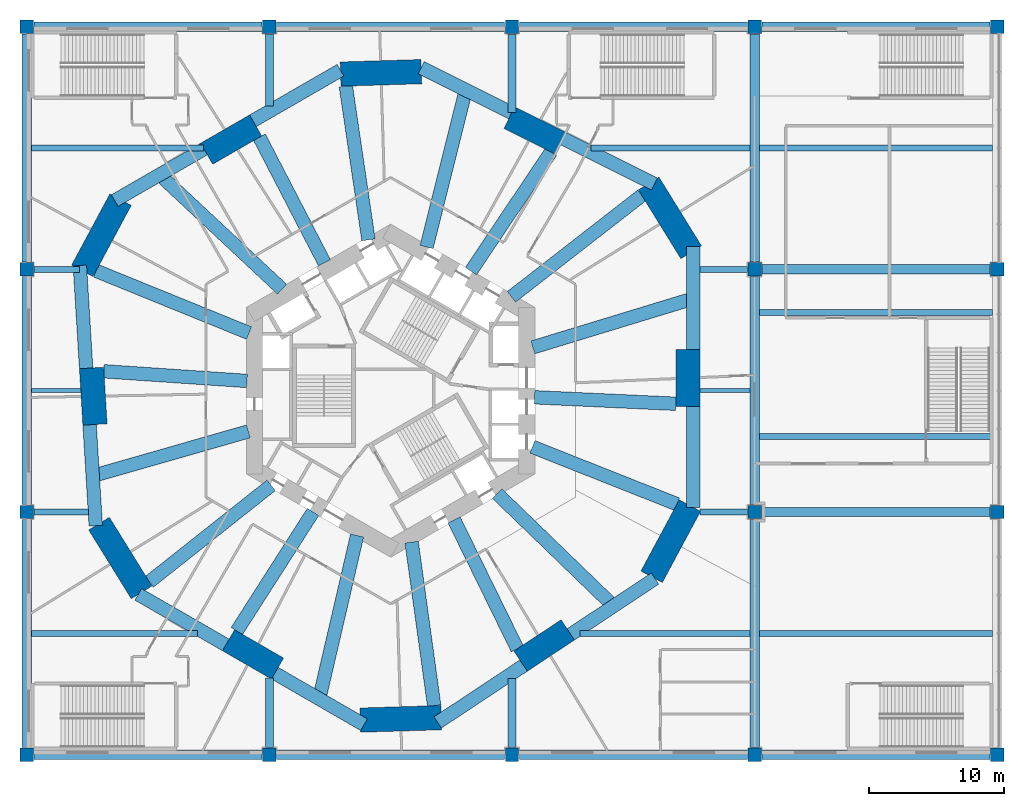
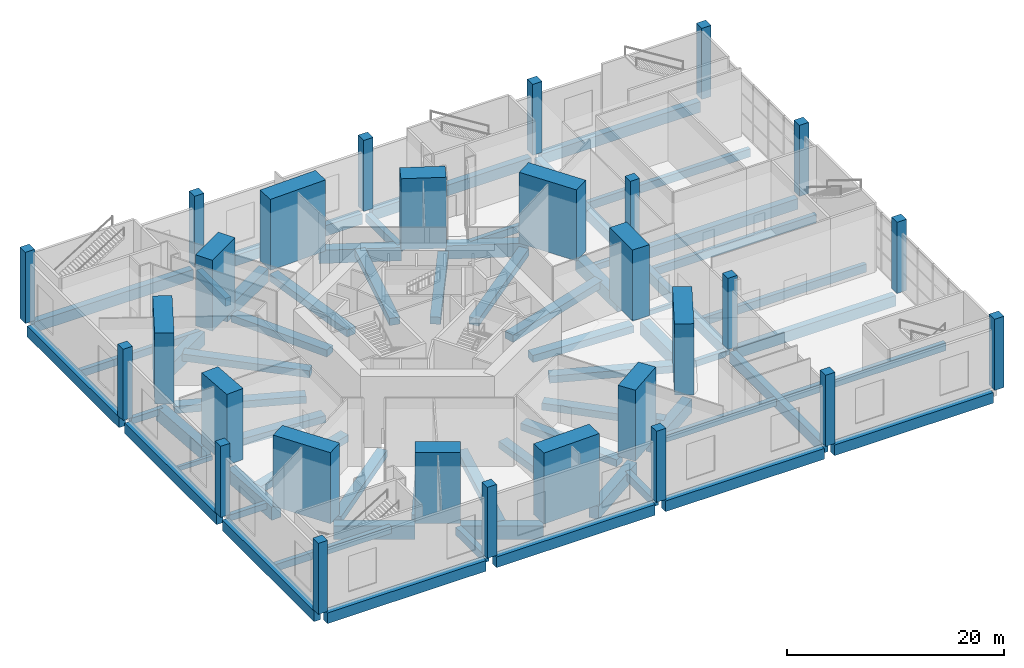
# One storey, part 1 of 15: 64 beams, 28 columns.
"""IFC4 building model written with IfcOpenShell, lengths in metres."""

from ifc_helpers import new_model, si_unit, direction, frame, origin, origin_2d, place, context, subcontext, project, spatial, rectangle, extrude, material, material_profile, profile_set, type_object, element, save


model = new_model("IFC4")

# Units and contexts
model_context = context("Model", 3, precision=1e-05, world=origin(), true_north=direction((0.0, 1.0)))
body_context = subcontext(model_context, "Body", "Model", "MODEL_VIEW")
ifc_project = project(units=[si_unit("LENGTHUNIT", "METRE"), si_unit("AREAUNIT", "SQUARE_METRE"), si_unit("VOLUMEUNIT", "CUBIC_METRE"), si_unit("PLANEANGLEUNIT", "RADIAN"), si_unit("MASSUNIT", "GRAM", prefix="KILO")], contexts=[model_context])

# Site, building, storey
site_placement = place(None, origin())
site = spatial("IfcSite", under=ifc_project, at=site_placement, CompositionType="ELEMENT")
building_placement = place(site_placement, origin())
building = spatial("IfcBuilding", under=site, at=building_placement, Name="Vanh Sen Convention Tower", CompositionType="ELEMENT")
storey_placement = place(building_placement, frame((0.0, 0.0, 13.0)))
storey = spatial("IfcBuildingStorey", under=building, at=storey_placement, Name="L02", CompositionType="ELEMENT", Elevation=13.0)

# Columns
ifc_material_1 = material(Name="Concrete C80/95", Category="concrete")
ifc_material_profile_1 = material_profile(ifc_material_1, rectangle(XDim=4.199951171875, YDim=1.800048828125, at=origin_2d()), Name="RC 4200X1800")
ifc_profile_set_1 = profile_set([ifc_material_profile_1], Name="Concrete C80/95")
column_type_1 = type_object("IfcColumnType", Name="Mega column 4200 x 1800 C80/95", PredefinedType="COLUMN", material=ifc_profile_set_1)
for number, where, z_axis, x_axis, name in (
    (1, (22.050048828125, 0.937255859375, 0.0), (0.0, 0.0, 1.0), (0.0, 1.0, 0.0), "Mega column 01 L02"),
    (2, (10.677490234375, 19.315185546875, 0.0), (0.0, 0.0, 1.0), (-0.894935140363, 0.446196251154, 0.0), "Mega column 03 L02"),
    (3, (-11.836669921875, 18.627197265625, 0.0), (0.0, 0.0, 1.0), (-0.866028021766, -0.499995465495, 0.0), "Mega column 05 L02"),
    (4, (-22.06591796875, -0.41064453125, 0.0), (0.0, 0.0, 1.0), (0.061046797461, -0.99813490497, 0.0), "Mega column 07 L02"),
    (5, (-10.21337890625, -19.564453125, 0.0), (0.0, 0.0, 1.0), (0.866028021766, -0.499995465495, 0.0), "Mega column 09 L02"),
    (6, (11.388671875, -18.904541015625, 0.0), (0.0, 0.0, 1.0), (0.833880042151, 0.551945717714, 0.0), "Mega column 11 L02"),
):
    element("IfcColumn", number, at=place(storey_placement, frame(where, z_axis=z_axis, x_axis=x_axis)), inside=storey, type_object=column_type_1, Name=name, PredefinedType="COLUMN", context=body_context, shape_type="SweptSolid", body=[
        extrude(rectangle(XDim=4.199951171875, YDim=1.800048828125, at=origin_2d()), origin(), (0.0, 0.0, 1.0), 8.0),
    ])
ifc_material_profile_2 = material_profile(ifc_material_1, rectangle(XDim=6.0, YDim=1.800048828125, at=origin_2d()), Name="RC 6000X1800")
ifc_profile_set_2 = profile_set([ifc_material_profile_2], Name="Concrete C80/95")
column_type_2 = type_object("IfcColumnType", Name="Mega column 6000 x 1800 C80/95", PredefinedType="COLUMN", material=ifc_profile_set_2)
for number, where, z_axis, x_axis, name in (
    (7, (20.71435546875, 12.818359375, 0.0), (0.0, 0.0, 1.0), (-0.526210955359, 0.850354061823, 0.0), "Mega column 02 L02"),
    (8, (-0.72021484375, 23.5771484375, 0.0), (0.0, 0.0, 1.0), (-0.999533644135, -0.030536768695, 0.0), "Mega column 04 L02"),
    (9, (-21.458251953125, 11.52978515625, 0.0), (0.0, 0.0, 1.0), (-0.473316592293, -0.880892390397, 0.0), "Mega column 06 L02"),
    (10, (-20.058349609375, -12.41259765625, 0.0), (0.0, 0.0, 1.0), (0.526202050444, -0.850359572245, 0.0), "Mega column 08 L02"),
    (11, (0.743896484375, -24.348388671875, 0.0), (0.0, 0.0, 1.0), (0.999533484231, 0.03054200224, 0.0), "Mega column 10 L02"),
    (12, (20.778564453125, -11.164794921875, 0.0), (0.0, 0.0, 1.0), (0.473322742071, 0.880889086003, 0.0), "Mega column 12 L02"),
):
    element("IfcColumn", number, at=place(storey_placement, frame(where, z_axis=z_axis, x_axis=x_axis)), inside=storey, type_object=column_type_2, Name=name, PredefinedType="COLUMN", context=body_context, shape_type="SweptSolid", body=[
        extrude(rectangle(XDim=6.0, YDim=1.800048828125, at=origin_2d()), origin(), (0.0, 0.0, 1.0), 8.0),
    ])
ifc_material_profile_3 = material_profile(ifc_material_1, rectangle(XDim=1.0, YDim=1.0, at=origin_2d()), Name="RC 1000X1000")
ifc_profile_set_3 = profile_set([ifc_material_profile_3], Name="Concrete C80/95")
column_type_3 = type_object("IfcColumnType", Name="Podium column 1000 x 1000 C80/95", PredefinedType="COLUMN", material=ifc_profile_set_3)
for number, where, z_axis, x_axis, name in (
    (13, (-27.0, -27.0, 0.0), (0.0, 0.0, 1.0), (1.0, 0.0, 0.0), "Podium column 01 L02"),
    (14, (-27.0, -9.0, 0.0), (0.0, 0.0, 1.0), (1.0, 0.0, 0.0), "Podium column 02 L02"),
    (15, (-27.0, 9.0, 0.0), (0.0, 0.0, 1.0), (1.0, 0.0, 0.0), "Podium column 03 L02"),
    (16, (-27.0, 27.0, 0.0), (0.0, 0.0, 1.0), (1.0, 0.0, 0.0), "Podium column 04 L02"),
    (17, (-9.0, -27.0, 0.0), (0.0, 0.0, 1.0), (1.0, 0.0, 0.0), "Podium column 05 L02"),
    (18, (-9.0, 27.0, 0.0), (0.0, 0.0, 1.0), (1.0, 0.0, 0.0), "Podium column 06 L02"),
    (19, (9.0, -27.0, 0.0), (0.0, 0.0, 1.0), (1.0, 0.0, 0.0), "Podium column 07 L02"),
    (20, (9.0, 27.0, 0.0), (0.0, 0.0, 1.0), (1.0, 0.0, 0.0), "Podium column 08 L02"),
    (21, (27.0, -27.0, 0.0), (0.0, 0.0, 1.0), (1.0, 0.0, 0.0), "Podium column 09 L02"),
    (22, (27.0, -9.0, 0.0), (0.0, 0.0, 1.0), (1.0, 0.0, 0.0), "Podium column 10 L02"),
    (23, (27.0, 9.0, 0.0), (0.0, 0.0, 1.0), (1.0, 0.0, 0.0), "Podium column 11 L02"),
    (24, (27.0, 27.0, 0.0), (0.0, 0.0, 1.0), (1.0, 0.0, 0.0), "Podium column 12 L02"),
    (25, (45.0, -27.0, 0.0), (0.0, 0.0, 1.0), (1.0, 0.0, 0.0), "Podium column 13 L02"),
    (26, (45.0, -9.0, 0.0), (0.0, 0.0, 1.0), (1.0, 0.0, 0.0), "Podium column 14 L02"),
    (27, (45.0, 9.0, 0.0), (0.0, 0.0, 1.0), (1.0, 0.0, 0.0), "Podium column 15 L02"),
    (28, (45.0, 27.0, 0.0), (0.0, 0.0, 1.0), (1.0, 0.0, 0.0), "Podium column 16 L02"),
):
    element("IfcColumn", number, at=place(storey_placement, frame(where, z_axis=z_axis, x_axis=x_axis)), inside=storey, type_object=column_type_3, Name=name, PredefinedType="COLUMN", context=body_context, shape_type="SweptSolid", body=[
        extrude(rectangle(XDim=1.0, YDim=1.0, at=origin_2d()), origin(), (0.0, 0.0, 1.0), 8.0),
    ])

# Beams
ifc_material_2 = material(Name="Concrete C50/60", Category="concrete")
ifc_material_profile_4 = material_profile(ifc_material_2, rectangle(XDim=0.449951171875, YDim=0.699951171875, at=origin_2d()), Name="RC 450X700")
ifc_profile_set_4 = profile_set([ifc_material_profile_4], Name="Concrete C50/60")
beam_type_1 = type_object("IfcBeamType", Name="Podium girder 450 x 700", PredefinedType="BEAM", material=ifc_profile_set_4)
beam_1_placement = place(storey_placement, frame((-26.455078125, -9.0, -0.64990234375), z_axis=(1.0, 0.0, 0.0), x_axis=(0.0, 1.0, 0.0)))
element("IfcBeam", 29, at=beam_1_placement, inside=storey, type_object=beam_type_1, Name="Podium girder 18 L02", PredefinedType="BEAM", context=body_context, shape_type="SweptSolid", body=[
    extrude(rectangle(XDim=0.449951171875, YDim=0.699951171875, at=origin_2d()), origin(), (0.0, 0.0, 1.0), 4.031494140625),
])
beam_2_placement = place(storey_placement, frame((22.96337890625, -9.0, -0.64990234375), z_axis=(1.0, 0.0, 0.0), x_axis=(0.0, 1.0, 0.0)))
element("IfcBeam", 30, at=beam_2_placement, inside=storey, type_object=beam_type_1, Name="Podium girder 19 L02", PredefinedType="BEAM", context=body_context, shape_type="SweptSolid", body=[
    extrude(rectangle(XDim=0.449951171875, YDim=0.699951171875, at=origin_2d()), origin(), (0.0, 0.0, 1.0), 3.49169921875),
])
beam_3_placement = place(storey_placement, frame((-26.455078125, 9.0, -0.64990234375), z_axis=(1.0, 0.0, 0.0), x_axis=(0.0, 1.0, 0.0)))
element("IfcBeam", 31, at=beam_3_placement, inside=storey, type_object=beam_type_1, Name="Podium girder 21 L02", PredefinedType="BEAM", context=body_context, shape_type="SweptSolid", body=[
    extrude(rectangle(XDim=0.449951171875, YDim=0.699951171875, at=origin_2d()), origin(), (0.0, 0.0, 1.0), 3.366943359375),
])
beam_4_placement = place(storey_placement, frame((22.945068359375, 9.0, -0.64990234375), z_axis=(1.0, 0.0, 0.0), x_axis=(0.0, 1.0, 0.0)))
element("IfcBeam", 32, at=beam_4_placement, inside=storey, type_object=beam_type_1, Name="Podium girder 22 L02", PredefinedType="BEAM", context=body_context, shape_type="SweptSolid", body=[
    extrude(rectangle(XDim=0.449951171875, YDim=0.699951171875, at=origin_2d()), origin(), (0.0, 0.0, 1.0), 3.510009765625),
])
ifc_material_profile_5 = material_profile(ifc_material_2, rectangle(XDim=0.60009765625, YDim=0.89990234375, at=origin_2d()), Name="RC 600X900")
ifc_profile_set_5 = profile_set([ifc_material_profile_5], Name="Concrete C50/60")
beam_type_2 = type_object("IfcBeamType", Name="Podium girder 600 x 900", PredefinedType="BEAM", material=ifc_profile_set_5)
beam_5_placement = place(storey_placement, frame((-9.0, -26.455078125, -0.75), z_axis=(0.0, 1.0, 0.0), x_axis=(-1.0, 0.0, 0.0)))
element("IfcBeam", 33, at=beam_5_placement, inside=storey, type_object=beam_type_2, Name="Podium girder 04 L02", PredefinedType="BEAM", context=body_context, shape_type="SweptSolid", body=[
    extrude(rectangle(XDim=0.60009765625, YDim=0.89990234375, at=origin_2d()), origin(), (0.0, 0.0, 1.0), 5.156005859375),
])
beam_6_placement = place(storey_placement, frame((-9.0, 21.1259765625, -0.75), z_axis=(0.0, 1.0, 0.0), x_axis=(-1.0, 0.0, 0.0)))
element("IfcBeam", 34, at=beam_6_placement, inside=storey, type_object=beam_type_2, Name="Podium girder 05 L02", PredefinedType="BEAM", context=body_context, shape_type="SweptSolid", body=[
    extrude(rectangle(XDim=0.60009765625, YDim=0.89990234375, at=origin_2d()), origin(), (0.0, 0.0, 1.0), 5.3291015625),
])
beam_7_placement = place(storey_placement, frame((9.0, -26.455078125, -0.75), z_axis=(0.0, 1.0, 0.0), x_axis=(-1.0, 0.0, 0.0)))
element("IfcBeam", 35, at=beam_7_placement, inside=storey, type_object=beam_type_2, Name="Podium girder 06 L02", PredefinedType="BEAM", context=body_context, shape_type="SweptSolid", body=[
    extrude(rectangle(XDim=0.60009765625, YDim=0.89990234375, at=origin_2d()), origin(), (0.0, 0.0, 1.0), 5.093994140625),
])
beam_8_placement = place(storey_placement, frame((9.0, 20.652099609375, -0.75), z_axis=(0.0, 1.0, 0.0), x_axis=(-1.0, 0.0, 0.0)))
element("IfcBeam", 36, at=beam_8_placement, inside=storey, type_object=beam_type_2, Name="Podium girder 07 L02", PredefinedType="BEAM", context=body_context, shape_type="SweptSolid", body=[
    extrude(rectangle(XDim=0.60009765625, YDim=0.89990234375, at=origin_2d()), origin(), (0.0, 0.0, 1.0), 5.802978515625),
])
ifc_material_profile_6 = material_profile(ifc_material_2, rectangle(XDim=0.699951171875, YDim=1.199951171875, at=origin_2d()), Name="RC 700X1200")
ifc_profile_set_6 = profile_set([ifc_material_profile_6], Name="Concrete C50/60")
beam_type_3 = type_object("IfcBeamType", Name="Podium girder 700 x 1200", PredefinedType="BEAM", material=ifc_profile_set_6)
for number, where, z_axis, x_axis, name in (
    (37, (-27.0, -26.455078125, -0.89990234375), (0.0, 1.0, 0.0), (-1.0, 0.0, 0.0), "Podium girder 01 L02"),
    (38, (-27.0, -8.455078125, -0.89990234375), (0.0, 1.0, 0.0), (-1.0, 0.0, 0.0), "Podium girder 02 L02"),
    (39, (-27.0, 9.544921875, -0.89990234375), (0.0, 1.0, 0.0), (-1.0, 0.0, 0.0), "Podium girder 03 L02"),
    (40, (27.0, -26.455078125, -0.89990234375), (0.0, 1.0, 0.0), (-1.0, 0.0, 0.0), "Podium girder 08 L02"),
    (41, (27.0, -8.455078125, -0.89990234375), (0.0, 1.0, 0.0), (-1.0, 0.0, 0.0), "Podium girder 09 L02"),
    (42, (27.0, 9.544921875, -0.89990234375), (0.0, 1.0, 0.0), (-1.0, 0.0, 0.0), "Podium girder 10 L02"),
    (43, (-26.455078125, -27.0, -0.89990234375), (1.0, 0.0, 0.0), (0.0, 1.0, 0.0), "Podium girder 14 L02"),
    (44, (-8.455078125, -27.0, -0.89990234375), (1.0, 0.0, 0.0), (0.0, 1.0, 0.0), "Podium girder 15 L02"),
    (45, (9.544921875, -27.0, -0.89990234375), (1.0, 0.0, 0.0), (0.0, 1.0, 0.0), "Podium girder 16 L02"),
    (46, (27.544921875, -27.0, -0.89990234375), (1.0, 0.0, 0.0), (0.0, 1.0, 0.0), "Podium girder 17 L02"),
    (47, (27.544921875, -9.0, -0.89990234375), (1.0, 0.0, 0.0), (0.0, 1.0, 0.0), "Podium girder 20 L02"),
    (48, (27.544921875, 9.0, -0.89990234375), (1.0, 0.0, 0.0), (0.0, 1.0, 0.0), "Podium girder 23 L02"),
    (49, (-26.455078125, 27.0, -0.89990234375), (1.0, 0.0, 0.0), (0.0, 1.0, 0.0), "Podium girder 24 L02"),
    (50, (-8.455078125, 27.0, -0.89990234375), (1.0, 0.0, 0.0), (0.0, 1.0, 0.0), "Podium girder 25 L02"),
    (51, (9.544921875, 27.0, -0.89990234375), (1.0, 0.0, 0.0), (0.0, 1.0, 0.0), "Podium girder 26 L02"),
    (52, (27.544921875, 27.0, -0.89990234375), (1.0, 0.0, 0.0), (0.0, 1.0, 0.0), "Podium girder 27 L02"),
):
    element("IfcBeam", number, at=place(storey_placement, frame(where, z_axis=z_axis, x_axis=x_axis)), inside=storey, type_object=beam_type_3, Name=name, PredefinedType="BEAM", context=body_context, shape_type="SweptSolid", body=[
        extrude(rectangle(XDim=0.699951171875, YDim=1.199951171875, at=origin_2d()), origin(), (0.0, 0.0, 1.0), 16.91015625),
    ])
ifc_material_profile_7 = material_profile(ifc_material_2, rectangle(XDim=1.0, YDim=1.5, at=origin_2d()), Name="RC 1000X1500")
ifc_profile_set_7 = profile_set([ifc_material_profile_7], Name="Concrete C50/60")
beam_type_4 = type_object("IfcBeamType", Name="Podium ring girder 1000 x 1500", PredefinedType="BEAM", material=ifc_profile_set_7)
beam_9_placement = place(storey_placement, frame((22.449951171875, 3.0322265625, -1.050048828125), z_axis=(0.0, 1.0, 0.0), x_axis=(-1.0, 0.0, 0.0)))
element("IfcBeam", 53, at=beam_9_placement, inside=storey, type_object=beam_type_4, Name="Ring girder 01 L02", PredefinedType="BEAM", context=body_context, shape_type="SweptSolid", body=[
    extrude(rectangle(XDim=1.0, YDim=1.5, at=origin_2d()), origin(), (0.0, 0.0, 1.0), 7.646728515625),
])
beam_10_placement = place(storey_placement, frame((19.57421875, 15.326416015625, -1.050048828125), z_axis=(-0.894943809109, 0.44617886384, 0.0), x_axis=(-0.44617886384, -0.894943809109, 0.0)))
element("IfcBeam", 54, at=beam_10_placement, inside=storey, type_object=beam_type_4, Name="Ring girder 02 L02", PredefinedType="BEAM", context=body_context, shape_type="SweptSolid", body=[
    extrude(rectangle(XDim=1.0, YDim=1.5, at=origin_2d()), origin(), (0.0, 0.0, 1.0), 7.64697265625),
])
beam_11_placement = place(storey_placement, frame((9.069580078125, 20.563720703125, -1.050048828125), z_axis=(-0.894933951272, 0.446198636105, 0.0), x_axis=(-0.446198636105, -0.894933951272, 0.0)))
element("IfcBeam", 55, at=beam_11_placement, inside=storey, type_object=beam_type_4, Name="Ring girder 03 L02", PredefinedType="BEAM", context=body_context, shape_type="SweptSolid", body=[
    extrude(rectangle(XDim=1.0, YDim=1.5, at=origin_2d()), origin(), (0.0, 0.0, 1.0), 7.603271484375),
])
beam_12_placement = place(storey_placement, frame((-3.723388671875, 23.7734375, -1.050048828125), z_axis=(-0.866012220445, -0.500022833518, 0.0), x_axis=(0.500022833518, -0.866012220445, 0.0)))
element("IfcBeam", 56, at=beam_12_placement, inside=storey, type_object=beam_type_4, Name="Ring girder 04 L02", PredefinedType="BEAM", context=body_context, shape_type="SweptSolid", body=[
    extrude(rectangle(XDim=1.0, YDim=1.5, at=origin_2d()), origin(), (0.0, 0.0, 1.0), 7.504638671875),
])
for number, where, z_axis, x_axis, name in (
    (57, (-13.85107421875, 17.926025390625, -1.050048828125), (-0.866026077102, -0.499998833779, 0.0), (0.499998833779, -0.866026077102, 0.0), "Ring girder 05 L02"),
    (58, (-23.06005859375, 9.288330078125, -1.050048828125), (0.061046445508, -0.998134926496, 0.0), (0.998134926496, 0.061046445508, 0.0), "Ring girder 06 L02"),
):
    element("IfcBeam", number, at=place(storey_placement, frame(where, z_axis=z_axis, x_axis=x_axis)), inside=storey, type_object=beam_type_4, Name=name, PredefinedType="BEAM", context=body_context, shape_type="SweptSolid", body=[
        extrude(rectangle(XDim=1.0, YDim=1.5, at=origin_2d()), origin(), (0.0, 0.0, 1.0), 7.646484375),
    ])
for number, where, z_axis, x_axis, name in (
    (59, (-22.33740234375, -2.526123046875, -1.050048828125), (0.061031350148, -0.998135849621, 0.0), (0.998135849621, 0.061031350148, 0.0), "Ring girder 07 L02"),
    (60, (-18.726806640625, -15.111083984375, -1.050048828125), (0.866026307698, -0.499998434373, 0.0), (0.499998434373, 0.866026307698, 0.0), "Ring girder 08 L02"),
):
    element("IfcBeam", number, at=place(storey_placement, frame(where, z_axis=z_axis, x_axis=x_axis)), inside=storey, type_object=beam_type_4, Name=name, PredefinedType="BEAM", context=body_context, shape_type="SweptSolid", body=[
        extrude(rectangle(XDim=1.0, YDim=1.5, at=origin_2d()), origin(), (0.0, 0.0, 1.0), 7.50439453125),
    ])
beam_13_placement = place(storey_placement, frame((-8.59912109375, -20.958251953125, -1.050048828125), z_axis=(0.866020233978, -0.500008954261, 0.0), x_axis=(0.500008954261, 0.866020233978, 0.0)))
element("IfcBeam", 61, at=beam_13_placement, inside=storey, type_object=beam_type_4, Name="Ring girder 09 L02", PredefinedType="BEAM", context=body_context, shape_type="SweptSolid", body=[
    extrude(rectangle(XDim=1.0, YDim=1.5, at=origin_2d()), origin(), (0.0, 0.0, 1.0), 7.646728515625),
])
beam_14_placement = place(storey_placement, frame((3.486083984375, -24.61474609375, -1.050048828125), z_axis=(0.833877643649, 0.551949341355, 0.0), x_axis=(-0.551949341355, 0.833877643649, 0.0)))
element("IfcBeam", 62, at=beam_14_placement, inside=storey, type_object=beam_type_4, Name="Ring girder 10 L02", PredefinedType="BEAM", context=body_context, shape_type="SweptSolid", body=[
    extrude(rectangle(XDim=1.0, YDim=1.5, at=origin_2d()), origin(), (0.0, 0.0, 1.0), 7.934814453125),
])
for number, where, z_axis, x_axis, name in (
    (63, (13.3564453125, -18.081787109375, -1.050048828125), (0.83387759724, 0.551949411469, 0.0), (-0.551949411469, 0.83387759724, 0.0), "Ring girder 11 L02"),
    (64, (22.449951171875, -8.662109375, -1.050048828125), (0.0, 1.0, 0.0), (-1.0, 0.0, 0.0), "Ring girder 12 L02"),
):
    element("IfcBeam", number, at=place(storey_placement, frame(where, z_axis=z_axis, x_axis=x_axis)), inside=storey, type_object=beam_type_4, Name=name, PredefinedType="BEAM", context=body_context, shape_type="SweptSolid", body=[
        extrude(rectangle(XDim=1.0, YDim=1.5, at=origin_2d()), origin(), (0.0, 0.0, 1.0), 7.50439453125),
    ])
ifc_material_profile_8 = material_profile(ifc_material_2, rectangle(XDim=0.300048828125, YDim=0.5, at=origin_2d()), Name="RC 300X500")
ifc_profile_set_8 = profile_set([ifc_material_profile_8], Name="Concrete C50/60")
beam_type_5 = type_object("IfcBeamType", Name="Podium secondary beam 300 x 500", PredefinedType="BEAM", material=ifc_profile_set_8)
beam_15_placement = place(storey_placement, frame((-26.655029296875, 0.0, -0.550048828125), z_axis=(1.0, 0.0, 0.0), x_axis=(0.0, 1.0, 0.0)))
element("IfcBeam", 65, at=beam_15_placement, inside=storey, type_object=beam_type_5, Name="Podium secondary beam 04 L02", PredefinedType="BEAM", context=body_context, shape_type="SweptSolid", body=[
    extrude(rectangle(XDim=0.300048828125, YDim=0.5, at=origin_2d()), origin(), (0.0, 0.0, 1.0), 3.662109375),
])
beam_16_placement = place(storey_placement, frame((22.949951171875, 0.0, -0.550048828125), z_axis=(1.0, 0.0, 0.0), x_axis=(0.0, 1.0, 0.0)))
element("IfcBeam", 66, at=beam_16_placement, inside=storey, type_object=beam_type_5, Name="Podium secondary beam 05 L02", PredefinedType="BEAM", context=body_context, shape_type="SweptSolid", body=[
    extrude(rectangle(XDim=0.300048828125, YDim=0.5, at=origin_2d()), origin(), (0.0, 0.0, 1.0), 3.705078125),
])
ifc_material_profile_9 = material_profile(ifc_material_2, rectangle(XDim=0.449951171875, YDim=0.800048828125, at=origin_2d()), Name="RC 450X800")
ifc_profile_set_9 = profile_set([ifc_material_profile_9], Name="Concrete C50/60")
beam_type_6 = type_object("IfcBeamType", Name="Podium secondary beam 450 x 800", PredefinedType="BEAM", material=ifc_profile_set_9)
beam_17_placement = place(storey_placement, frame((-26.655029296875, -18.0, -0.699951171875), z_axis=(1.0, 0.0, 0.0), x_axis=(0.0, 1.0, 0.0)))
element("IfcBeam", 67, at=beam_17_placement, inside=storey, type_object=beam_type_6, Name="Podium secondary beam 01 L02", PredefinedType="BEAM", context=body_context, shape_type="SweptSolid", body=[
    extrude(rectangle(XDim=0.449951171875, YDim=0.800048828125, at=origin_2d()), origin(), (0.0, 0.0, 1.0), 12.32666015625),
])
beam_18_placement = place(storey_placement, frame((14.041015625, -18.0, -0.699951171875), z_axis=(1.0, 0.0, 0.0), x_axis=(0.0, 1.0, 0.0)))
element("IfcBeam", 68, at=beam_18_placement, inside=storey, type_object=beam_type_6, Name="Podium secondary beam 02 L02", PredefinedType="BEAM", context=body_context, shape_type="SweptSolid", body=[
    extrude(rectangle(XDim=0.449951171875, YDim=0.800048828125, at=origin_2d()), origin(), (0.0, 0.0, 1.0), 12.614013671875),
])
beam_19_placement = place(storey_placement, frame((-26.655029296875, 18.0, -0.699951171875), z_axis=(1.0, 0.0, 0.0), x_axis=(0.0, 1.0, 0.0)))
element("IfcBeam", 69, at=beam_19_placement, inside=storey, type_object=beam_type_6, Name="Podium secondary beam 08 L02", PredefinedType="BEAM", context=body_context, shape_type="SweptSolid", body=[
    extrude(rectangle(XDim=0.449951171875, YDim=0.800048828125, at=origin_2d()), origin(), (0.0, 0.0, 1.0), 12.760498046875),
])
beam_20_placement = place(storey_placement, frame((14.8759765625, 18.0, -0.699951171875), z_axis=(1.0, 0.0, 0.0), x_axis=(0.0, 1.0, 0.0)))
element("IfcBeam", 70, at=beam_20_placement, inside=storey, type_object=beam_type_6, Name="Podium secondary beam 09 L02", PredefinedType="BEAM", context=body_context, shape_type="SweptSolid", body=[
    extrude(rectangle(XDim=0.449951171875, YDim=0.800048828125, at=origin_2d()), origin(), (0.0, 0.0, 1.0), 11.779052734375),
])
ifc_material_profile_10 = material_profile(ifc_material_2, rectangle(XDim=0.449951171875, YDim=0.89990234375, at=origin_2d()), Name="RC 450X900")
ifc_profile_set_10 = profile_set([ifc_material_profile_10], Name="Concrete C50/60")
beam_type_7 = type_object("IfcBeamType", Name="Podium secondary beam 450 x 900", PredefinedType="BEAM", material=ifc_profile_set_10)
for number, where, z_axis, x_axis, name in (
    (71, (27.344970703125, -18.0, -0.75), (1.0, 0.0, 0.0), (0.0, 1.0, 0.0), "Podium secondary beam 03 L02"),
    (72, (27.344970703125, -3.3994140625, -0.75), (1.0, 0.0, 0.0), (0.0, 1.0, 0.0), "Podium secondary beam 06 L02"),
    (73, (27.344970703125, 5.800048828125, -0.75), (1.0, 0.0, 0.0), (0.0, 1.0, 0.0), "Podium secondary beam 07 L02"),
    (74, (27.344970703125, 18.0, -0.75), (1.0, 0.0, 0.0), (0.0, 1.0, 0.0), "Podium secondary beam 10 L02"),
):
    element("IfcBeam", number, at=place(storey_placement, frame(where, z_axis=z_axis, x_axis=x_axis)), inside=storey, type_object=beam_type_7, Name=name, PredefinedType="BEAM", context=body_context, shape_type="SweptSolid", body=[
        extrude(rectangle(XDim=0.449951171875, YDim=0.89990234375, at=origin_2d()), origin(), (0.0, 0.0, 1.0), 17.31005859375),
    ])
ifc_material_profile_11 = material_profile(ifc_material_2, rectangle(XDim=1.0, YDim=0.800048828125, at=origin_2d()), Name="RC 1000X800")
ifc_profile_set_11 = profile_set([ifc_material_profile_11], Name="Concrete C50/60")
beam_type_8 = type_object("IfcBeamType", Name="Radial floor beam 1000 x 800", PredefinedType="BEAM", material=ifc_profile_set_11)
beam_21_placement = place(storey_placement, frame((21.238037109375, -8.418701171875, -0.699951171875), z_axis=(-0.929626395453, 0.368503412299, 0.0), x_axis=(-0.368503412299, -0.929626395453, 0.0)))
element("IfcBeam", 75, at=beam_21_placement, inside=storey, type_object=beam_type_8, Name="Radial beam 01 L02", PredefinedType="BEAM", context=body_context, shape_type="SweptSolid", body=[
    extrude(rectangle(XDim=1.0, YDim=0.800048828125, at=origin_2d()), origin(), (0.0, 0.0, 1.0), 11.5390625),
])
beam_22_placement = place(storey_placement, frame((21.155029296875, -0.970703125, -0.699951171875), z_axis=(-0.998949166628, 0.045831893853, 0.0), x_axis=(-0.045831893853, -0.998949166628, 0.0)))
element("IfcBeam", 76, at=beam_22_placement, inside=storey, type_object=beam_type_8, Name="Radial beam 02 L02", PredefinedType="BEAM", context=body_context, shape_type="SweptSolid", body=[
    extrude(rectangle(XDim=1.0, YDim=0.800048828125, at=origin_2d()), origin(), (0.0, 0.0, 1.0), 10.493896484375),
])
beam_23_placement = place(storey_placement, frame((22.1005859375, 6.732666015625, -0.699951171875), z_axis=(-0.95659843119, -0.291409405211, 0.0), x_axis=(0.291409405211, -0.95659843119, 0.0)))
element("IfcBeam", 77, at=beam_23_placement, inside=storey, type_object=beam_type_8, Name="Radial beam 03 L02", PredefinedType="BEAM", context=body_context, shape_type="SweptSolid", body=[
    extrude(rectangle(XDim=1.0, YDim=0.800048828125, at=origin_2d()), origin(), (0.0, 0.0, 1.0), 12.0751953125),
])
beam_24_placement = place(storey_placement, frame((18.630615234375, 14.484619140625, -0.699951171875), z_axis=(-0.789469121042, -0.613790279265, 0.0), x_axis=(0.613790279265, -0.789469121042, 0.0)))
element("IfcBeam", 78, at=beam_24_placement, inside=storey, type_object=beam_type_8, Name="Radial beam 04 L02", PredefinedType="BEAM", context=body_context, shape_type="SweptSolid", body=[
    extrude(rectangle(XDim=1.0, YDim=0.800048828125, at=origin_2d()), origin(), (0.0, 0.0, 1.0), 12.255859375),
])
beam_25_placement = place(storey_placement, frame((11.888671875, 17.7109375, -0.699951171875), z_axis=(-0.557333016414, -0.830289051364, 0.0), x_axis=(0.830289051364, -0.557333016414, 0.0)))
element("IfcBeam", 79, at=beam_25_placement, inside=storey, type_object=beam_type_8, Name="Radial beam 05 L02", PredefinedType="BEAM", context=body_context, shape_type="SweptSolid", body=[
    extrude(rectangle(XDim=1.0, YDim=0.800048828125, at=origin_2d()), origin(), (0.0, 0.0, 1.0), 10.6455078125),
])
beam_26_placement = place(storey_placement, frame((5.47802734375, 21.921875, -0.699951171875), z_axis=(-0.242426812684, -0.97016969675, 0.0), x_axis=(0.97016969675, -0.242426812684, 0.0)))
element("IfcBeam", 80, at=beam_26_placement, inside=storey, type_object=beam_type_8, Name="Radial beam 06 L02", PredefinedType="BEAM", context=body_context, shape_type="SweptSolid", body=[
    extrude(rectangle(XDim=1.0, YDim=0.800048828125, at=origin_2d()), origin(), (0.0, 0.0, 1.0), 11.614501953125),
])
beam_27_placement = place(storey_placement, frame((-3.328125, 22.60205078125, -0.699951171875), z_axis=(0.145673679863, -0.989332693787, 0.0), x_axis=(0.989332693787, 0.145673679863, 0.0)))
element("IfcBeam", 81, at=beam_27_placement, inside=storey, type_object=beam_type_8, Name="Radial beam 07 L02", PredefinedType="BEAM", context=body_context, shape_type="SweptSolid", body=[
    extrude(rectangle(XDim=1.0, YDim=0.800048828125, at=origin_2d()), origin(), (0.0, 0.0, 1.0), 11.538818359375),
])
beam_28_placement = place(storey_placement, frame((-9.73681640625, 18.80615234375, -0.699951171875), z_axis=(0.459760226255, -0.888043092622, 0.0), x_axis=(0.888043092622, 0.459760226255, 0.0)))
element("IfcBeam", 82, at=beam_28_placement, inside=storey, type_object=beam_type_8, Name="Radial beam 08 L02", PredefinedType="BEAM", context=body_context, shape_type="SweptSolid", body=[
    extrude(rectangle(XDim=1.0, YDim=0.800048828125, at=origin_2d()), origin(), (0.0, 0.0, 1.0), 10.493896484375),
])
beam_29_placement = place(storey_placement, frame((-16.880859375, 15.773193359375, -0.699951171875), z_axis=(0.730669888391, -0.682730923717, 0.0), x_axis=(0.682730923717, 0.730669888391, 0.0)))
element("IfcBeam", 83, at=beam_29_placement, inside=storey, type_object=beam_type_8, Name="Radial beam 09 L02", PredefinedType="BEAM", context=body_context, shape_type="SweptSolid", body=[
    extrude(rectangle(XDim=1.0, YDim=0.800048828125, at=origin_2d()), origin(), (0.0, 0.0, 1.0), 12.074951171875),
])
beam_30_placement = place(storey_placement, frame((-21.859375, 8.892333984375, -0.699951171875), z_axis=(0.926287387337, -0.376817828746, 0.0), x_axis=(0.376817828746, 0.926287387337, 0.0)))
element("IfcBeam", 84, at=beam_30_placement, inside=storey, type_object=beam_type_8, Name="Radial beam 10 L02", PredefinedType="BEAM", context=body_context, shape_type="SweptSolid", body=[
    extrude(rectangle(XDim=1.0, YDim=0.800048828125, at=origin_2d()), origin(), (0.0, 0.0, 1.0), 12.255615234375),
])
beam_31_placement = place(storey_placement, frame((-21.282470703125, 1.4404296875, -0.699951171875), z_axis=(0.997718193442, -0.067515971992, 0.0), x_axis=(0.067515971992, 0.997718193442, 0.0)))
element("IfcBeam", 85, at=beam_31_placement, inside=storey, type_object=beam_type_8, Name="Radial beam 11 L02", PredefinedType="BEAM", context=body_context, shape_type="SweptSolid", body=[
    extrude(rectangle(XDim=1.0, YDim=0.800048828125, at=origin_2d()), origin(), (0.0, 0.0, 1.0), 10.6455078125),
])
beam_32_placement = place(storey_placement, frame((-21.723876953125, -6.216796875, -0.699951171875), z_axis=(0.961405669021, 0.275134766203, 0.0), x_axis=(-0.275134766203, 0.961405669021, 0.0)))
element("IfcBeam", 86, at=beam_32_placement, inside=storey, type_object=beam_type_8, Name="Radial beam 12 L02", PredefinedType="BEAM", context=body_context, shape_type="SweptSolid", body=[
    extrude(rectangle(XDim=1.0, YDim=0.800048828125, at=origin_2d()), origin(), (0.0, 0.0, 1.0), 11.614501953125),
])
beam_33_placement = place(storey_placement, frame((-17.909912109375, -14.183349609375, -0.699951171875), z_axis=(0.783941130439, 0.620835166535, 0.0), x_axis=(-0.620835166535, 0.783941130439, 0.0)))
element("IfcBeam", 87, at=beam_33_placement, inside=storey, type_object=beam_type_8, Name="Radial beam 13 L02", PredefinedType="BEAM", context=body_context, shape_type="SweptSolid", body=[
    extrude(rectangle(XDim=1.0, YDim=0.800048828125, at=origin_2d()), origin(), (0.0, 0.0, 1.0), 11.5390625),
])
beam_34_placement = place(storey_placement, frame((-11.418212890625, -17.83544921875, -0.699951171875), z_axis=(0.539175162017, 0.842193650335, 0.0), x_axis=(-0.842193650335, 0.539175162017, 0.0)))
element("IfcBeam", 88, at=beam_34_placement, inside=storey, type_object=beam_type_8, Name="Radial beam 14 L02", PredefinedType="BEAM", context=body_context, shape_type="SweptSolid", body=[
    extrude(rectangle(XDim=1.0, YDim=0.800048828125, at=origin_2d()), origin(), (0.0, 0.0, 1.0), 10.494140625),
])
beam_35_placement = place(storey_placement, frame((-5.219482421875, -22.505859375, -0.699951171875), z_axis=(0.225921069531, 0.974145610441, 0.0), x_axis=(-0.974145610441, 0.225921069531, 0.0)))
element("IfcBeam", 89, at=beam_35_placement, inside=storey, type_object=beam_type_8, Name="Radial beam 15 L02", PredefinedType="BEAM", context=body_context, shape_type="SweptSolid", body=[
    extrude(rectangle(XDim=1.0, YDim=0.800048828125, at=origin_2d()), origin(), (0.0, 0.0, 1.0), 12.0751953125),
])
beam_36_placement = place(storey_placement, frame((3.228759765625, -23.376953125, -0.699951171875), z_axis=(-0.136812656494, 0.99059693974, 0.0), x_axis=(-0.99059693974, -0.136812656494, 0.0)))
element("IfcBeam", 90, at=beam_36_placement, inside=storey, type_object=beam_type_8, Name="Radial beam 16 L02", PredefinedType="BEAM", context=body_context, shape_type="SweptSolid", body=[
    extrude(rectangle(XDim=1.0, YDim=0.800048828125, at=origin_2d()), origin(), (0.0, 0.0, 1.0), 12.255859375),
])
beam_37_placement = place(storey_placement, frame((9.393798828125, -19.151611328125, -0.699951171875), z_axis=(-0.440366399131, 0.897818152254, 0.0), x_axis=(-0.897818152254, -0.440366399131, 0.0)))
element("IfcBeam", 91, at=beam_37_placement, inside=storey, type_object=beam_type_8, Name="Radial beam 17 L02", PredefinedType="BEAM", context=body_context, shape_type="SweptSolid", body=[
    extrude(rectangle(XDim=1.0, YDim=0.800048828125, at=origin_2d()), origin(), (0.0, 0.0, 1.0), 10.645751953125),
])
beam_38_placement = place(storey_placement, frame((16.245849609375, -15.705078125, -0.699951171875), z_axis=(-0.718976471313, 0.695034411881, 0.0), x_axis=(-0.695034411881, -0.718976471313, 0.0)))
element("IfcBeam", 92, at=beam_38_placement, inside=storey, type_object=beam_type_8, Name="Radial beam 18 L02", PredefinedType="BEAM", context=body_context, shape_type="SweptSolid", body=[
    extrude(rectangle(XDim=1.0, YDim=0.800048828125, at=origin_2d()), origin(), (0.0, 0.0, 1.0), 11.614501953125),
])

save(model, "model.ifc")
